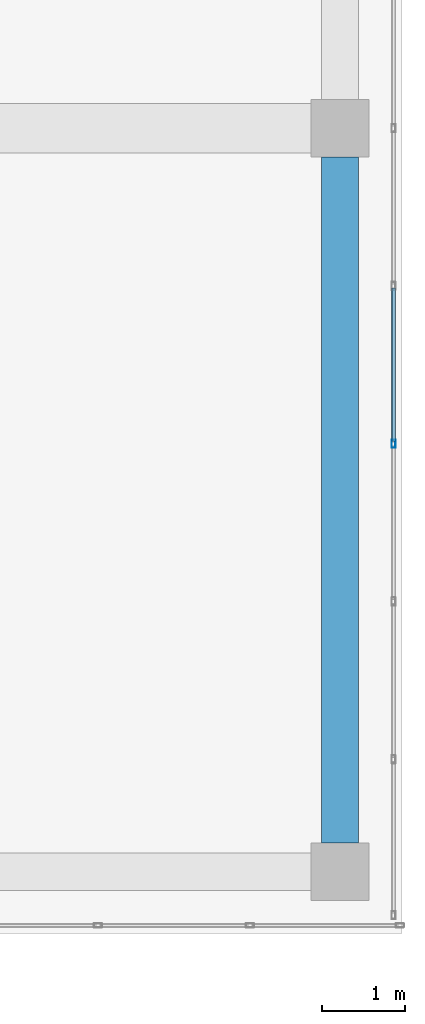
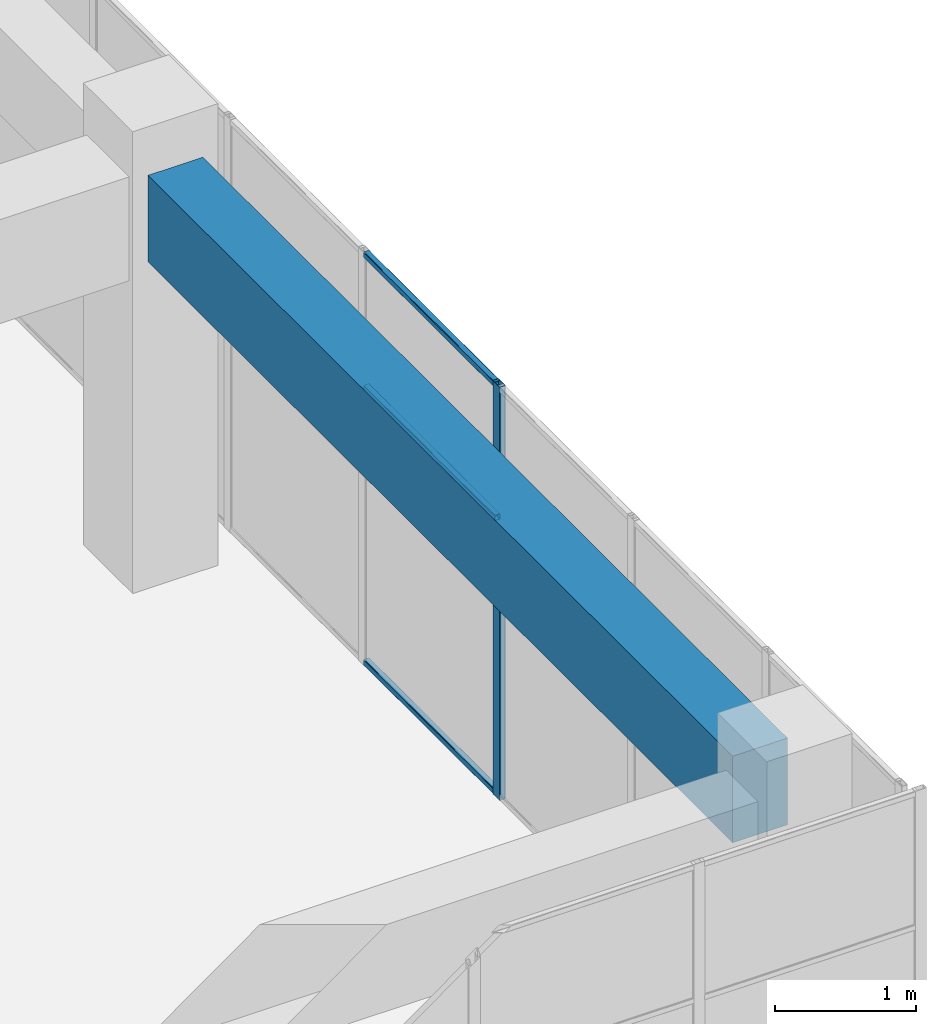
# One storey, part 14 of 32: 4 members, 1 beam, 1 element without a shape of its own.
"""IFC4 building model written with IfcOpenShell, lengths in metres."""

from ifc_helpers import new_model, si_unit, direction, frame, origin, origin_2d, place, context, subcontext, project, spatial, rectangle, hollow_rectangle, extrude, material, layer, layer_set, material_profile, profile_set, type_object, element, aggregate, save


model = new_model("IFC4")

# Units and contexts
model_context = context("Model", 3, precision=1e-05, world=origin(), true_north=direction((0.0, 1.0)))
body_context = subcontext(model_context, "Body", "Model", "MODEL_VIEW")
ifc_project = project(units=[si_unit("LENGTHUNIT", "METRE"), si_unit("AREAUNIT", "SQUARE_METRE"), si_unit("VOLUMEUNIT", "CUBIC_METRE"), si_unit("PLANEANGLEUNIT", "RADIAN"), si_unit("MASSUNIT", "GRAM", prefix="KILO")], contexts=[model_context])

# Site, building, storey
site_placement = place(None, origin())
site = spatial("IfcSite", under=ifc_project, at=site_placement, CompositionType="ELEMENT")
building_placement = place(site_placement, origin())
building = spatial("IfcBuilding", under=site, at=building_placement, Name="Tuart Plaza Theatre", CompositionType="ELEMENT")
storey_placement = place(building_placement, frame((0.0, 0.0, 37.5)))
storey = spatial("IfcBuildingStorey", under=building, at=storey_placement, Name="L09", CompositionType="ELEMENT", Elevation=37.5)

# Beam
ifc_material_1 = material(Name="Concrete N40 (40 MPa)", Category="concrete")
ifc_material_profile_1 = material_profile(ifc_material_1, rectangle(XDim=0.449951171875, YDim=0.75, at=origin_2d()), Name="BEAM 450x750 Concrete N40 (40 MPa)")
ifc_profile_set_1 = profile_set([ifc_material_profile_1], Name="Concrete N40 (40 MPa)")
beam_type = type_object("IfcBeamType", Name="BEAM 450x750 Concrete N40 (40 MPa)", PredefinedType="BEAM", material=ifc_profile_set_1)
beam_placement = place(storey_placement, frame((150.0, 65.35009765625, 3.205078125), z_axis=(0.0, 1.0, 0.0), x_axis=(-1.0, 0.0, 0.0)))
element("IfcBeam", 1, at=beam_placement, inside=storey, type_object=beam_type, Name="RB277", PredefinedType="BEAM", context=body_context, shape_type="SweptSolid", body=[
    extrude(rectangle(XDim=0.449951171875, YDim=0.75, at=origin_2d()), origin(), (0.0, 0.0, 1.0), 8.2998046875),
])

# Curtain wall, members
ifc_material_2 = material(Name="Aluminium and glass", Category="aluminium")
ifc_layer = layer(ifc_material_2, 0.10009765625)
ifc_layer_set = layer_set([ifc_layer], Name="CURTAIN WALL 2000 module")
curtain_wall_type = type_object("IfcCurtainWallType", Name="CURTAIN WALL 2000 module", PredefinedType="NOTDEFINED", material=ifc_layer_set)
curtain_wall_placement = place(storey_placement, origin())
curtain_wall = element("IfcCurtainWall", 2, at=curtain_wall_placement, inside=storey, type_object=curtain_wall_type, Name="CW92", PredefinedType="NOTDEFINED")
ifc_material_3 = material(Name="Aluminium 6063-T5", Category="aluminium")
ifc_material_profile_2 = material_profile(ifc_material_3, hollow_rectangle(XDim=0.050048828125, YDim=0.10009765625, WallThickness=0.00390625, InnerFilletRadius=0.00390625, OuterFilletRadius=0.008056640625, at=origin_2d()), Name="RHS 100x50x4")
ifc_profile_set_2 = profile_set([ifc_material_profile_2], Name="Aluminium 6063-T5")
member_type_1 = type_object("IfcMemberType", Name="MULLION RHS 100x50x4", PredefinedType="MULLION", material=ifc_profile_set_2)
member_1_placement = place(storey_placement, frame((150.64990234375, 70.179931640625, 0.0), z_axis=(0.0, 0.0, 1.0), x_axis=(-1.0, 0.0, 0.0)))
member_1 = element("IfcMember", 3, at=member_1_placement, type_object=member_type_1, Name="CW92 mullion 4", PredefinedType="MULLION", context=body_context, shape_type="SweptSolid", body=[
    extrude(hollow_rectangle(XDim=0.050048828125, YDim=0.10009765625, WallThickness=0.00390625, InnerFilletRadius=0.00390625, OuterFilletRadius=0.008056640625, at=origin_2d()), origin(), (0.0, 0.0, 1.0), 3.580078125),
])
ifc_material_4 = material(Name="Aluminium 6063-T5", Category="aluminium")
ifc_material_profile_3 = material_profile(ifc_material_4, hollow_rectangle(XDim=0.050048828125, YDim=0.050048828125, WallThickness=0.00390625, InnerFilletRadius=0.00390625, OuterFilletRadius=0.008056640625, at=origin_2d()), Name="RHS 50x50x4")
ifc_profile_set_3 = profile_set([ifc_material_profile_3], Name="Aluminium 6063-T5")
member_type_2 = type_object("IfcMemberType", Name="TRANSOM RHS 50x50x4", PredefinedType="USERDEFINED", material=ifc_profile_set_3)
member_2_placement = place(storey_placement, frame((150.64990234375, 70.205078125, 0.02490234375), z_axis=(0.0, 1.0, 0.0), x_axis=(-1.0, 0.0, 0.0)))
member_2 = element("IfcMember", 4, at=member_2_placement, type_object=member_type_2, Name="CW92 transom 4.1", ObjectType="TRANSOM", PredefinedType="USERDEFINED", context=body_context, shape_type="SweptSolid", body=[
    extrude(hollow_rectangle(XDim=0.050048828125, YDim=0.050048828125, WallThickness=0.00390625, InnerFilletRadius=0.00390625, OuterFilletRadius=0.008056640625, at=origin_2d()), origin(), (0.0, 0.0, 1.0), 1.85986328125),
])
member_3_placement = place(storey_placement, frame((150.64990234375, 70.205078125, 2.39990234375), z_axis=(0.0, 1.0, 0.0), x_axis=(-1.0, 0.0, 0.0)))
member_3 = element("IfcMember", 5, at=member_3_placement, type_object=member_type_2, Name="CW92 transom 4.2", ObjectType="TRANSOM", PredefinedType="USERDEFINED", context=body_context, shape_type="SweptSolid", body=[
    extrude(hollow_rectangle(XDim=0.050048828125, YDim=0.050048828125, WallThickness=0.00390625, InnerFilletRadius=0.00390625, OuterFilletRadius=0.008056640625, at=origin_2d()), origin(), (0.0, 0.0, 1.0), 1.85986328125),
])
member_4_placement = place(storey_placement, frame((150.64990234375, 70.205078125, 3.554931640625), z_axis=(0.0, 1.0, 0.0), x_axis=(-1.0, 0.0, 0.0)))
member_4 = element("IfcMember", 6, at=member_4_placement, type_object=member_type_2, Name="CW92 transom 4.3", ObjectType="TRANSOM", PredefinedType="USERDEFINED", context=body_context, shape_type="SweptSolid", body=[
    extrude(hollow_rectangle(XDim=0.050048828125, YDim=0.050048828125, WallThickness=0.00390625, InnerFilletRadius=0.00390625, OuterFilletRadius=0.008056640625, at=origin_2d()), origin(), (0.0, 0.0, 1.0), 1.85986328125),
])
aggregate(curtain_wall, [member_1, member_2, member_3, member_4])

save(model, "model.ifc")
